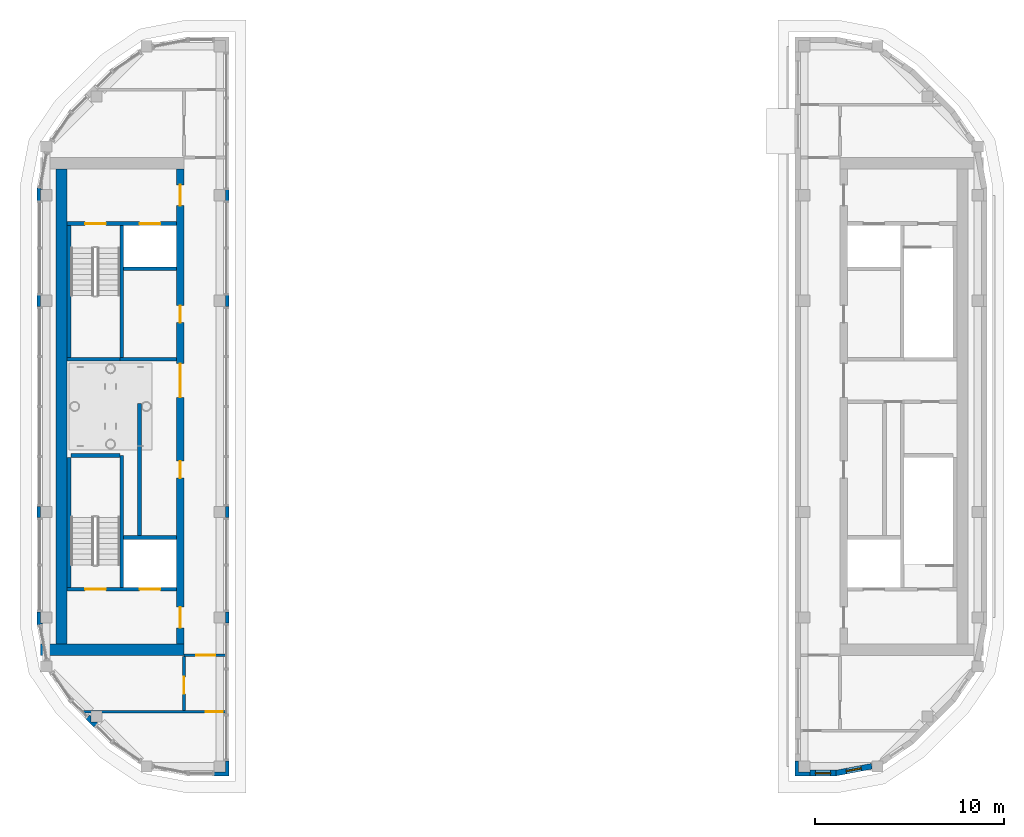
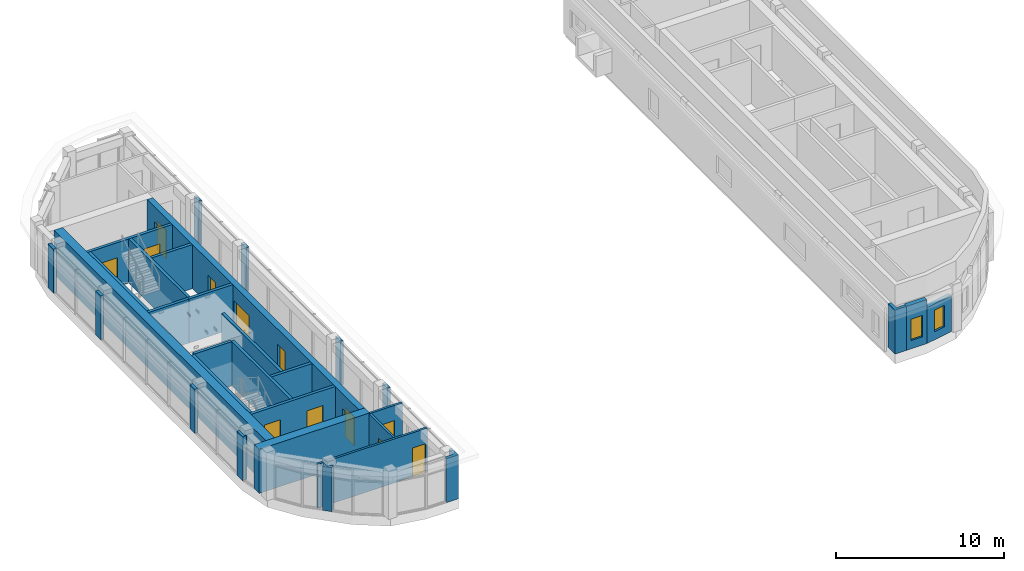
# One storey, part 9 of 16: 31 walls, 12 doors, 2 windows, 14 openings.
"""IFC4 building model written with IfcOpenShell, lengths in metres."""

from ifc_helpers import new_model, si_unit, direction, frame, frame_2d, origin, place, context, subcontext, project, spatial, polyline, rectangle, outline, extrude, material, layer, layer_set, type_object, element, fill, save


model = new_model("IFC4")

# Units and contexts
model_context = context("Model", 3, precision=1e-05, world=origin(), true_north=direction((0.0, 1.0)))
body_context = subcontext(model_context, "Body", "Model", "MODEL_VIEW")
ifc_project = project(units=[si_unit("LENGTHUNIT", "METRE"), si_unit("AREAUNIT", "SQUARE_METRE"), si_unit("VOLUMEUNIT", "CUBIC_METRE"), si_unit("PLANEANGLEUNIT", "RADIAN"), si_unit("MASSUNIT", "GRAM", prefix="KILO")], contexts=[model_context])

# Site, building, storey
site_placement = place(None, origin())
site = spatial("IfcSite", under=ifc_project, at=site_placement, CompositionType="ELEMENT")
building_placement = place(site_placement, origin())
building = spatial("IfcBuilding", under=site, at=building_placement, Name="Kiln Ring Residences", CompositionType="ELEMENT")
storey_placement = place(building_placement, frame((0.0, 0.0, 313.89990234375)))
storey = spatial("IfcBuildingStorey", under=building, at=storey_placement, Name="L81 Crown", CompositionType="ELEMENT", Elevation=313.89990234375)

# Walls
ifc_material_1 = material(Name="Gypsum board on steel studs", Category="steel")
ifc_layer_1 = layer(ifc_material_1, 0.199951171875)
ifc_layer_set_1 = layer_set([ifc_layer_1], Name="CORE-PARTITION-200")
wall_type_1 = type_object("IfcWallType", Name="CORE-PARTITION-200", PredefinedType="PARTITIONING", material=ifc_layer_set_1)
wall_1_placement = place(storey_placement, frame((-19.760009765625, -6.85009765625, 0.0), z_axis=(0.0, 0.0, 1.0), x_axis=(0.0, 1.0, 0.0)))
element("IfcWall", 1, at=wall_1_placement, inside=storey, type_object=wall_type_1, Name="Core partition west L81 Crown 1", PredefinedType="PARTITIONING", context=body_context, shape_type="SweptSolid", body=[
    extrude(rectangle(XDim=7.0, YDim=0.199951171875, at=frame_2d((3.5, 0.0))), origin(), (0.0, 0.0, 1.0), 3.2001953125),
])
ifc_material_2 = material(Name="Gypsum shaft wall system")
ifc_layer_2 = layer(ifc_material_2, 0.199951171875)
ifc_layer_set_2 = layer_set([ifc_layer_2], Name="CORE-SHAFT-WALL-200")
wall_type_2 = type_object("IfcWallType", Name="CORE-SHAFT-WALL-200", PredefinedType="PARTITIONING", material=ifc_layer_set_2)
wall_2_placement = place(storey_placement, frame((-17.800048828125, -6.949951171875, 0.0), z_axis=(0.0, 0.0, 1.0), x_axis=(-1.0, 0.0, 0.0)))
element("IfcWall", 2, at=wall_2_placement, inside=storey, type_object=wall_type_2, Name="Core partition west L81 Crown 2", PredefinedType="PARTITIONING", context=body_context, shape_type="SweptSolid", body=[
    extrude(rectangle(XDim=2.800048828125, YDim=0.199951171875, at=frame_2d((1.39990234375, 0.0))), origin(), (0.0, 0.0, 1.0), 3.2001953125),
])
wall_3_placement = place(storey_placement, frame((-17.800048828125, 2.5, 0.0), z_axis=(0.0, 0.0, 1.0), x_axis=(-1.0, 0.0, 0.0)))
element("IfcWall", 3, at=wall_3_placement, inside=storey, type_object=wall_type_2, Name="Core partition west L81 Crown 3", PredefinedType="PARTITIONING", context=body_context, shape_type="SweptSolid", body=[
    extrude(rectangle(XDim=3.0, YDim=0.199951171875, at=frame_2d((1.5, 0.0))), origin(), (0.0, 0.0, 1.0), 3.2001953125),
])
wall_4_placement = place(storey_placement, frame((-17.800048828125, 7.300048828125, 0.0), z_axis=(0.0, 0.0, 1.0), x_axis=(-1.0, 0.0, 0.0)))
element("IfcWall", 4, at=wall_4_placement, inside=storey, type_object=wall_type_2, Name="Core partition west L81 Crown 4", PredefinedType="PARTITIONING", context=body_context, shape_type="SweptSolid", body=[
    extrude(rectangle(XDim=2.800048828125, YDim=0.199951171875, at=frame_2d((1.39990234375, 0.0))), origin(), (0.0, 0.0, 1.0), 3.2001953125),
])
ifc_material_3 = material(Name="Concrete C40/50", Category="concrete")
ifc_layer_3 = layer(ifc_material_3, 0.199951171875)
ifc_layer_set_3 = layer_set([ifc_layer_3], Name="CORE-WALL-RC200")
wall_type_3 = type_object("IfcWallType", Name="CORE-WALL-RC200", PredefinedType="SHEAR", material=ifc_layer_set_3)
for number, where, z_axis, x_axis, name in (
    (5, (-20.699951171875, 2.60009765625, 0.0), (0.0, 0.0, 1.0), (0.0, 1.0, 0.0), "Core wall west L81 Crown 1"),
    (6, (-20.699951171875, -9.60009765625, 0.0), (0.0, 0.0, 1.0), (0.0, 1.0, 0.0), "Core wall west L81 Crown 2"),
):
    element("IfcWall", number, at=place(storey_placement, frame(where, z_axis=z_axis, x_axis=x_axis)), inside=storey, type_object=wall_type_3, Name=name, PredefinedType="SHEAR", context=body_context, shape_type="SweptSolid", body=[
        extrude(rectangle(XDim=7.0, YDim=0.199951171875, at=frame_2d((3.5, 0.0))), origin(), (0.0, 0.0, 1.0), 3.2001953125),
    ])
wall_5_placement = place(storey_placement, frame((-20.800048828125, 2.5, 0.0), z_axis=(0.0, 0.0, 1.0), x_axis=(-1.0, 0.0, 0.0)))
element("IfcWall", 7, at=wall_5_placement, inside=storey, type_object=wall_type_3, Name="Core wall west L81 Crown 3", PredefinedType="SHEAR", context=body_context, shape_type="SweptSolid", body=[
    extrude(rectangle(XDim=2.800048828125, YDim=0.199951171875, at=frame_2d((1.39990234375, 0.0))), origin(), (0.0, 0.0, 1.0), 3.2001953125),
])

# Wall, openings, doors
wall_6_placement = place(storey_placement, frame((-17.800048828125, -9.699951171875, 0.0), z_axis=(0.0, 0.0, 1.0), x_axis=(-1.0, 0.0, 0.0)))
wall_6 = element("IfcWall", 8, at=wall_6_placement, inside=storey, type_object=wall_type_3, Name="Core wall west L81 Crown 8", PredefinedType="SHEAR", context=body_context, shape_type="SweptSolid", body=[
    extrude(rectangle(XDim=5.800048828125, YDim=0.199951171875, at=frame_2d((2.89990234375, 0.0))), origin(), (0.0, 0.0, 1.0), 3.2001953125),
])
opening_1_placement = place(wall_6_placement, frame((0.85009765625, 0.0, 0.0)))
opening_1 = element("IfcOpeningElement", 9, at=opening_1_placement, cuts=wall_6, Name="Opening L81-CW01", PredefinedType="OPENING", context=body_context, shape_type="SweptSolid", body=[
    extrude(rectangle(XDim=1.10009765625, YDim=2.10009765625, at=frame_2d((0.550048828125, 1.050048828125))), frame((0.0, 0.10986328125, 0.0), z_axis=(0.0, -1.0, 0.0), x_axis=(1.0, 0.0, 0.0)), (0.0, 0.0, 1.0), 0.219970703125),
])
opening_2_placement = place(wall_6_placement, frame((3.75, 0.0, 0.0)))
opening_2 = element("IfcOpeningElement", 10, at=opening_2_placement, cuts=wall_6, Name="Opening L81-CW08", PredefinedType="OPENING", context=body_context, shape_type="SweptSolid", body=[
    extrude(rectangle(XDim=1.10009765625, YDim=2.10009765625, at=frame_2d((0.550048828125, 1.050048828125))), frame((0.0, 0.10986328125, 0.0), z_axis=(0.0, -1.0, 0.0), x_axis=(1.0, 0.0, 0.0)), (0.0, 0.0, 1.0), 0.219970703125),
])
ifc_material_4 = material(Name="Steel door leaf", Category="steel")
door_type_1 = type_object("IfcDoorType", Name="CORE-DOOR-LD", OperationType="DOUBLE_DOOR_SLIDING", PredefinedType="DOOR", material=ifc_material_4)
door_1_placement = place(opening_1_placement, origin())
door_1 = element("IfcDoor", 11, at=door_1_placement, inside=storey, type_object=door_type_1, Name="LD W-SV L81-CW01", OperationType="DOUBLE_DOOR_SLIDING", OverallHeight=2.10009765625, OverallWidth=1.10009765625, PredefinedType="DOOR", context=body_context, shape_type="SweptSolid", body=[
    extrude(rectangle(XDim=1.10009765625, YDim=2.10009765625, at=frame_2d((0.550048828125, 1.050048828125))), frame((0.0, 0.02490234375, 0.0), z_axis=(0.0, -1.0, 0.0), x_axis=(1.0, 0.0, 0.0)), (0.0, 0.0, 1.0), 0.050048828125),
])
fill(opening_1, door_1)
ifc_material_5 = material(Name="Steel door leaf", Category="steel")
door_type_2 = type_object("IfcDoorType", Name="CORE-DOOR-STAIR", OperationType="SINGLE_SWING_LEFT", PredefinedType="DOOR", material=ifc_material_5)
door_2_placement = place(opening_2_placement, origin())
door_2 = element("IfcDoor", 12, at=door_2_placement, inside=storey, type_object=door_type_2, Name="Stair W-STS L81-CW08", OperationType="SINGLE_SWING_LEFT", OverallHeight=2.10009765625, OverallWidth=1.10009765625, PredefinedType="DOOR", context=body_context, shape_type="SweptSolid", body=[
    extrude(rectangle(XDim=1.10009765625, YDim=2.10009765625, at=frame_2d((0.550048828125, 1.050048828125))), frame((0.0, 0.02490234375, 0.0), z_axis=(0.0, -1.0, 0.0), x_axis=(1.0, 0.0, 0.0)), (0.0, 0.0, 1.0), 0.050048828125),
])
fill(opening_2, door_2)

wall_7_placement = place(storey_placement, frame((-17.800048828125, 9.699951171875, 0.0), z_axis=(0.0, 0.0, 1.0), x_axis=(-1.0, 0.0, 0.0)))
wall_7 = element("IfcWall", 13, at=wall_7_placement, inside=storey, type_object=wall_type_3, Name="Core wall west L81 Crown 9", PredefinedType="SHEAR", context=body_context, shape_type="SweptSolid", body=[
    extrude(rectangle(XDim=5.800048828125, YDim=0.199951171875, at=frame_2d((2.89990234375, 0.0))), origin(), (0.0, 0.0, 1.0), 3.2001953125),
])
opening_3_placement = place(wall_7_placement, frame((0.85009765625, 0.0, 0.0)))
opening_3 = element("IfcOpeningElement", 14, at=opening_3_placement, cuts=wall_7, Name="Opening L81-CW04", PredefinedType="OPENING", context=body_context, shape_type="SweptSolid", body=[
    extrude(rectangle(XDim=1.10009765625, YDim=2.10009765625, at=frame_2d((0.550048828125, 1.050048828125))), frame((0.0, 0.10986328125, 0.0), z_axis=(0.0, -1.0, 0.0), x_axis=(1.0, 0.0, 0.0)), (0.0, 0.0, 1.0), 0.219970703125),
])
opening_4_placement = place(wall_7_placement, frame((3.75, 0.0, 0.0)))
opening_4 = element("IfcOpeningElement", 15, at=opening_4_placement, cuts=wall_7, Name="Opening L81-CW07", PredefinedType="OPENING", context=body_context, shape_type="SweptSolid", body=[
    extrude(rectangle(XDim=1.10009765625, YDim=2.10009765625, at=frame_2d((0.550048828125, 1.050048828125))), frame((0.0, 0.10986328125, 0.0), z_axis=(0.0, -1.0, 0.0), x_axis=(1.0, 0.0, 0.0)), (0.0, 0.0, 1.0), 0.219970703125),
])
door_3_placement = place(opening_3_placement, origin())
door_3 = element("IfcDoor", 16, at=door_3_placement, inside=storey, type_object=door_type_1, Name="LD W-FF L81-CW04", OperationType="DOUBLE_DOOR_SLIDING", OverallHeight=2.10009765625, OverallWidth=1.10009765625, PredefinedType="DOOR", context=body_context, shape_type="SweptSolid", body=[
    extrude(rectangle(XDim=1.10009765625, YDim=2.10009765625, at=frame_2d((0.550048828125, 1.050048828125))), frame((0.0, 0.02490234375, 0.0), z_axis=(0.0, -1.0, 0.0), x_axis=(1.0, 0.0, 0.0)), (0.0, 0.0, 1.0), 0.050048828125),
])
fill(opening_3, door_3)
door_4_placement = place(opening_4_placement, origin())
door_4 = element("IfcDoor", 17, at=door_4_placement, inside=storey, type_object=door_type_2, Name="Stair W-STN L81-CW07", OperationType="SINGLE_SWING_LEFT", OverallHeight=2.10009765625, OverallWidth=1.10009765625, PredefinedType="DOOR", context=body_context, shape_type="SweptSolid", body=[
    extrude(rectangle(XDim=1.10009765625, YDim=2.10009765625, at=frame_2d((0.550048828125, 1.050048828125))), frame((0.0, 0.02490234375, 0.0), z_axis=(0.0, -1.0, 0.0), x_axis=(1.0, 0.0, 0.0)), (0.0, 0.0, 1.0), 0.050048828125),
])
fill(opening_4, door_4)

# Walls
wall_8_placement = place(storey_placement, frame((-23.5, 2.60009765625, 0.0), z_axis=(0.0, 0.0, 1.0), x_axis=(0.0, 1.0, 0.0)))
element("IfcWall", 18, at=wall_8_placement, inside=storey, type_object=wall_type_3, Name="Core wall west L81 Crown 10", PredefinedType="SHEAR", context=body_context, shape_type="SweptSolid", body=[
    extrude(rectangle(XDim=7.0, YDim=0.199951171875, at=frame_2d((3.5, 0.0))), origin(), (0.0, 0.0, 1.0), 3.2001953125),
])
wall_9_placement = place(storey_placement, frame((-23.5, -9.60009765625, 0.0), z_axis=(0.0, 0.0, 1.0), x_axis=(0.0, 1.0, 0.0)))
element("IfcWall", 19, at=wall_9_placement, inside=storey, type_object=wall_type_3, Name="Core wall west L81 Crown 11", PredefinedType="SHEAR", context=body_context, shape_type="SweptSolid", body=[
    extrude(rectangle(XDim=6.900146484375, YDim=0.199951171875, at=frame_2d((3.4501953125, 0.0))), origin(), (0.0, 0.0, 1.0), 3.2001953125),
])
wall_10_placement = place(storey_placement, frame((-20.800048828125, -2.60009765625, 0.0), z_axis=(0.0, 0.0, 1.0), x_axis=(-1.0, 0.0, 0.0)))
element("IfcWall", 20, at=wall_10_placement, inside=storey, type_object=wall_type_3, Name="Core wall west L81 Crown 12", PredefinedType="SHEAR", context=body_context, shape_type="SweptSolid", body=[
    extrude(rectangle(XDim=2.599853515625, YDim=0.199951171875, at=frame_2d((1.2998046875, 0.0))), origin(), (0.0, 0.0, 1.0), 3.2001953125),
])

# Wall, openings, doors
ifc_material_6 = material(Name="Concrete C60/75", Category="concrete")
ifc_layer_4 = layer(ifc_material_6, 0.39990234375)
ifc_layer_set_4 = layer_set([ifc_layer_4], Name="CORE-WALL-RC400")
wall_type_4 = type_object("IfcWallType", Name="CORE-WALL-RC400", PredefinedType="SHEAR", material=ifc_layer_set_4)
wall_11_placement = place(storey_placement, frame((-17.60009765625, -12.60009765625, 0.0), z_axis=(0.0, 0.0, 1.0), x_axis=(0.0, 1.0, 0.0)))
wall_11 = element("IfcWall", 21, at=wall_11_placement, inside=storey, type_object=wall_type_4, Name="Core wall west L81 Crown 6", PredefinedType="SHEAR", context=body_context, shape_type="SweptSolid", body=[
    extrude(rectangle(XDim=25.2001953125, YDim=0.39990234375, at=frame_2d((12.60009765625, 0.0))), origin(), (0.0, 0.0, 1.0), 3.2001953125),
])
opening_5_placement = place(wall_11_placement, frame((8.800048828125, 0.0, 0.0)))
opening_5 = element("IfcOpeningElement", 22, at=opening_5_placement, cuts=wall_11, Name="Opening L81-CW02", PredefinedType="OPENING", context=body_context, shape_type="SweptSolid", body=[
    extrude(rectangle(XDim=0.89990234375, YDim=2.10009765625, at=frame_2d((0.449951171875, 1.050048828125))), frame((0.0, 0.2099609375, 0.0), z_axis=(0.0, -1.0, 0.0), x_axis=(1.0, 0.0, 0.0)), (0.0, 0.0, 1.0), 0.419921875),
])
opening_6_placement = place(wall_11_placement, frame((17.050048828125, 0.0, 0.0)))
opening_6 = element("IfcOpeningElement", 23, at=opening_6_placement, cuts=wall_11, Name="Opening L81-CW03", PredefinedType="OPENING", context=body_context, shape_type="SweptSolid", body=[
    extrude(rectangle(XDim=0.89990234375, YDim=2.10009765625, at=frame_2d((0.449951171875, 1.050048828125))), frame((0.0, 0.2099609375, 0.0), z_axis=(0.0, -1.0, 0.0), x_axis=(1.0, 0.0, 0.0)), (0.0, 0.0, 1.0), 0.419921875),
])
opening_7_placement = place(wall_11_placement, frame((23.25, 0.0, 0.0)))
opening_7 = element("IfcOpeningElement", 24, at=opening_7_placement, cuts=wall_11, Name="Opening L81-CW05", PredefinedType="OPENING", context=body_context, shape_type="SweptSolid", body=[
    extrude(rectangle(XDim=1.10009765625, YDim=2.10009765625, at=frame_2d((0.550048828125, 1.050048828125))), frame((0.0, 0.2099609375, 0.0), z_axis=(0.0, -1.0, 0.0), x_axis=(1.0, 0.0, 0.0)), (0.0, 0.0, 1.0), 0.419921875),
])
opening_8_placement = place(wall_11_placement, frame((0.85009765625, 0.0, 0.0)))
opening_8 = element("IfcOpeningElement", 25, at=opening_8_placement, cuts=wall_11, Name="Opening L81-CW06", PredefinedType="OPENING", context=body_context, shape_type="SweptSolid", body=[
    extrude(rectangle(XDim=1.10009765625, YDim=2.10009765625, at=frame_2d((0.550048828125, 1.050048828125))), frame((0.0, 0.2099609375, 0.0), z_axis=(0.0, -1.0, 0.0), x_axis=(1.0, 0.0, 0.0)), (0.0, 0.0, 1.0), 0.419921875),
])
opening_9_placement = place(wall_11_placement, frame((13.074951171875, 0.0, 0.0)))
opening_9 = element("IfcOpeningElement", 26, at=opening_9_placement, cuts=wall_11, Name="Opening L81-CW09", PredefinedType="OPENING", context=body_context, shape_type="SweptSolid", body=[
    extrude(rectangle(XDim=1.800048828125, YDim=2.10009765625, at=frame_2d((0.89990234375, 1.050048828125))), frame((0.0, 0.2099609375, 0.0), z_axis=(0.0, -1.0, 0.0), x_axis=(1.0, 0.0, 0.0)), (0.0, 0.0, 1.0), 0.419921875),
])
ifc_material_7 = material(Name="Steel door leaf", Category="steel")
door_type_3 = type_object("IfcDoorType", Name="CORE-DOOR-LOBBY", OperationType="SINGLE_SWING_LEFT", PredefinedType="DOOR", material=ifc_material_7)
door_5_placement = place(opening_7_placement, origin())
door_5 = element("IfcDoor", 27, at=door_5_placement, inside=storey, type_object=door_type_3, Name="FFL L81-CW05", OperationType="SINGLE_SWING_RIGHT", OverallHeight=2.10009765625, OverallWidth=1.10009765625, PredefinedType="DOOR", context=body_context, shape_type="SweptSolid", body=[
    extrude(rectangle(XDim=1.10009765625, YDim=2.10009765625, at=frame_2d((0.550048828125, 1.050048828125))), frame((0.0, 0.02490234375, 0.0), z_axis=(0.0, -1.0, 0.0), x_axis=(1.0, 0.0, 0.0)), (0.0, 0.0, 1.0), 0.050048828125),
])
fill(opening_7, door_5)
door_6_placement = place(opening_8_placement, origin())
door_6 = element("IfcDoor", 28, at=door_6_placement, inside=storey, type_object=door_type_3, Name="SVL L81-CW06", OperationType="SINGLE_SWING_LEFT", OverallHeight=2.10009765625, OverallWidth=1.10009765625, PredefinedType="DOOR", context=body_context, shape_type="SweptSolid", body=[
    extrude(rectangle(XDim=1.10009765625, YDim=2.10009765625, at=frame_2d((0.550048828125, 1.050048828125))), frame((0.0, 0.02490234375, 0.0), z_axis=(0.0, -1.0, 0.0), x_axis=(1.0, 0.0, 0.0)), (0.0, 0.0, 1.0), 0.050048828125),
])
fill(opening_8, door_6)
ifc_material_8 = material(Name="Steel door leaf", Category="steel")
door_type_4 = type_object("IfcDoorType", Name="CORE-DOOR-PASS", OperationType="DOUBLE_DOOR_SINGLE_SWING", PredefinedType="DOOR", material=ifc_material_8)
door_7_placement = place(opening_9_placement, origin())
door_7 = element("IfcDoor", 29, at=door_7_placement, inside=storey, type_object=door_type_4, Name="Tuned mass damper hall L81-CW09", OperationType="DOUBLE_DOOR_SINGLE_SWING", OverallHeight=2.10009765625, OverallWidth=1.800048828125, PredefinedType="DOOR", context=body_context, shape_type="SweptSolid", body=[
    extrude(rectangle(XDim=1.800048828125, YDim=2.10009765625, at=frame_2d((0.89990234375, 1.050048828125))), frame((0.0, 0.02490234375, 0.0), z_axis=(0.0, -1.0, 0.0), x_axis=(1.0, 0.0, 0.0)), (0.0, 0.0, 1.0), 0.050048828125),
])
fill(opening_9, door_7)
ifc_material_9 = material(Name="Steel door leaf", Category="steel")
door_type_5 = type_object("IfcDoorType", Name="CORE-DOOR-ROOM", OperationType="SINGLE_SWING_LEFT", PredefinedType="DOOR", material=ifc_material_9)
door_8_placement = place(opening_5_placement, origin())
door_8 = element("IfcDoor", 30, at=door_8_placement, inside=storey, type_object=door_type_5, Name="Janitor's store L81-CW02", OperationType="SINGLE_SWING_RIGHT", OverallHeight=2.10009765625, OverallWidth=0.89990234375, PredefinedType="DOOR", context=body_context, shape_type="SweptSolid", body=[
    extrude(rectangle(XDim=0.89990234375, YDim=2.10009765625, at=frame_2d((0.449951171875, 1.050048828125))), frame((0.0, 0.02490234375, 0.0), z_axis=(0.0, -1.0, 0.0), x_axis=(1.0, 0.0, 0.0)), (0.0, 0.0, 1.0), 0.050048828125),
])
fill(opening_5, door_8)
door_9_placement = place(opening_6_placement, origin())
door_9 = element("IfcDoor", 31, at=door_9_placement, inside=storey, type_object=door_type_5, Name="Goods store L81-CW03", OperationType="SINGLE_SWING_LEFT", OverallHeight=2.10009765625, OverallWidth=0.89990234375, PredefinedType="DOOR", context=body_context, shape_type="SweptSolid", body=[
    extrude(rectangle(XDim=0.89990234375, YDim=2.10009765625, at=frame_2d((0.449951171875, 1.050048828125))), frame((0.0, 0.02490234375, 0.0), z_axis=(0.0, -1.0, 0.0), x_axis=(1.0, 0.0, 0.0)), (0.0, 0.0, 1.0), 0.050048828125),
])
fill(opening_6, door_9)

# Walls
ifc_material_10 = material(Name="Concrete C60/75", Category="concrete")
ifc_layer_5 = layer(ifc_material_10, 0.60009765625)
ifc_layer_set_5 = layer_set([ifc_layer_5], Name="CORE-WALL-RC600")
wall_type_5 = type_object("IfcWallType", Name="CORE-WALL-RC600", PredefinedType="SHEAR", material=ifc_layer_set_5)
wall_12_placement = place(storey_placement, frame((-17.39990234375, -12.89990234375, 0.0), z_axis=(0.0, 0.0, 1.0), x_axis=(-1.0, 0.0, 0.0)))
element("IfcWall", 32, at=wall_12_placement, inside=storey, type_object=wall_type_5, Name="Core wall west L81 Crown 5", PredefinedType="SHEAR", context=body_context, shape_type="SweptSolid", body=[
    extrude(rectangle(XDim=7.60009765625, YDim=0.60009765625, at=frame_2d((3.800048828125, 0.0))), origin(), (0.0, 0.0, 1.0), 3.2001953125),
])
wall_13_placement = place(storey_placement, frame((-23.89990234375, -12.60009765625, 0.0), z_axis=(0.0, 0.0, 1.0), x_axis=(0.0, 1.0, 0.0)))
element("IfcWall", 33, at=wall_13_placement, inside=storey, type_object=wall_type_5, Name="Core wall west L81 Crown 7", PredefinedType="SHEAR", context=body_context, shape_type="SweptSolid", body=[
    extrude(rectangle(XDim=25.2001953125, YDim=0.60009765625, at=frame_2d((12.60009765625, 0.0))), origin(), (0.0, 0.0, 1.0), 3.2001953125),
])

# Wall, opening, window
ifc_material_11 = material(Name="Brick masonry, dark clay brick", Category="masonry")
ifc_layer_6 = layer(ifc_material_11, 0.300048828125)
ifc_layer_set_6 = layer_set([ifc_layer_6], Name="EW-300 BRICK WALL")
wall_type_6 = type_object("IfcWallType", Name="EW-300 BRICK WALL", PredefinedType="SOLIDWALL", material=ifc_layer_set_6)
wall_14_placement = place(storey_placement, frame((15.800048828125, -19.449951171875, 0.0), z_axis=(0.0, 0.0, 1.0), x_axis=(1.0, 0.0, 0.0)))
wall_14 = element("IfcWall", 34, at=wall_14_placement, inside=storey, type_object=wall_type_6, Name="Facade wall L81 Crown 6", PredefinedType="SOLIDWALL", context=body_context, shape_type="SweptSolid", body=[
    extrude(rectangle(XDim=1.39990234375, YDim=0.300048828125, at=frame_2d((0.699951171875, 0.0))), origin(), (0.0, 0.0, 1.0), 3.2001953125),
])
opening_10_placement = place(wall_14_placement, frame((0.300048828125, 0.0, 0.60009765625)))
opening_10 = element("IfcOpeningElement", 35, at=opening_10_placement, cuts=wall_14, Name="Opening W5", PredefinedType="OPENING", context=body_context, shape_type="SweptSolid", body=[
    extrude(rectangle(XDim=0.800048828125, YDim=1.550048828125, at=frame_2d((0.39990234375, 0.77490234375))), frame((0.0, 0.159912109375, 0.0), z_axis=(0.0, -1.0, 0.0), x_axis=(1.0, 0.0, 0.0)), (0.0, 0.0, 1.0), 0.320068359375),
])
ifc_material_12 = material(Name="Aluminium frame with double glazing", Category="aluminium")
window_type = type_object("IfcWindowType", Name="WINDOW 800 x 1550", PartitioningType="SINGLE_PANEL", PredefinedType="WINDOW", material=ifc_material_12)
window_1_placement = place(opening_10_placement, origin())
window_1 = element("IfcWindow", 36, at=window_1_placement, inside=storey, type_object=window_type, Name="Window L81 Crown 5", OverallHeight=1.550048828125, OverallWidth=0.800048828125, PartitioningType="SINGLE_PANEL", PredefinedType="WINDOW", context=body_context, shape_type="SweptSolid", body=[
    extrude(rectangle(XDim=0.800048828125, YDim=1.550048828125, at=frame_2d((0.39990234375, 0.77490234375))), frame((0.0, 0.030029296875, 0.0), z_axis=(0.0, -1.0, 0.0), x_axis=(1.0, 0.0, 0.0)), (0.0, 0.0, 1.0), 0.06005859375),
])
fill(opening_10, window_1)

wall_15_placement = place(storey_placement, frame((17.171875, -19.45263671875, 0.0), z_axis=(0.0, 0.0, 1.0), x_axis=(0.982286967073, 0.187382801553, 0.0)))
wall_15 = element("IfcWall", 37, at=wall_15_placement, inside=storey, type_object=wall_type_6, Name="Facade wall L81 Crown 7", PredefinedType="SOLIDWALL", context=body_context, shape_type="SweptSolid", body=[
    extrude(rectangle(XDim=1.94775390625, YDim=0.300048828125, at=frame_2d((0.973876953125, 0.0))), origin(), (0.0, 0.0, 1.0), 2.60009765625),
])
opening_11_placement = place(wall_15_placement, frame((0.573974609375, 0.0, 0.60009765625)))
opening_11 = element("IfcOpeningElement", 38, at=opening_11_placement, cuts=wall_15, Name="Opening W5", PredefinedType="OPENING", context=body_context, shape_type="SweptSolid", body=[
    extrude(rectangle(XDim=0.800048828125, YDim=1.550048828125, at=frame_2d((0.39990234375, 0.77490234375))), frame((0.0, 0.159912109375, 0.0), z_axis=(0.0, -1.0, 0.0), x_axis=(1.0, 0.0, 0.0)), (0.0, 0.0, 1.0), 0.320068359375),
])
window_2_placement = place(opening_11_placement, origin())
window_2 = element("IfcWindow", 39, at=window_2_placement, inside=storey, type_object=window_type, Name="Window L81 Crown 6", OverallHeight=1.550048828125, OverallWidth=0.800048828125, PartitioningType="SINGLE_PANEL", PredefinedType="WINDOW", context=body_context, shape_type="SweptSolid", body=[
    extrude(rectangle(XDim=0.800048828125, YDim=1.550048828125, at=frame_2d((0.39990234375, 0.77490234375))), frame((0.0, 0.030029296875, 0.0), z_axis=(0.0, -1.0, 0.0), x_axis=(1.0, 0.0, 0.0)), (0.0, 0.0, 1.0), 0.06005859375),
])
fill(opening_11, window_2)

# Walls
placement = place(storey_placement, origin())
element("IfcWall", 40, at=placement, inside=storey, type_object=wall_type_6, Name="Corner wall L81 Crown 1", PredefinedType="SOLIDWALL", context=body_context, shape_type="SweptSolid", body=[
    extrude(outline(polyline([(-25.199951171875, -10.89990234375), (-25.199951171875, -11.600830078125), (-24.9033203125, -11.544189453125), (-24.89990234375, -11.56103515625), (-24.89990234375, -11.5), (-25.0, -11.5), (-25.0, -10.89990234375), (-25.199951171875, -10.89990234375)])), origin(), (0.0, 0.0, 1.0), 3.2001953125),
])
element("IfcWall", 41, at=placement, inside=storey, type_object=wall_type_6, Name="Corner wall L81 Crown 2", PredefinedType="SOLIDWALL", context=body_context, shape_type="SweptSolid", body=[
    extrude(outline(polyline([(-25.0, -5.300048828125), (-25.199951171875, -5.300048828125), (-25.199951171875, -5.89990234375), (-24.89990234375, -5.89990234375), (-25.0, -5.89990234375), (-25.0, -5.300048828125)])), origin(), (0.0, 0.0, 1.0), 3.2001953125),
])
element("IfcWall", 42, at=placement, inside=storey, type_object=wall_type_6, Name="Corner wall L81 Crown 3", PredefinedType="SOLIDWALL", context=body_context, shape_type="SweptSolid", body=[
    extrude(outline(polyline([(-25.0, 5.89990234375), (-25.199951171875, 5.89990234375), (-25.199951171875, 5.300048828125), (-25.0, 5.300048828125), (-25.0, 5.89990234375)])), origin(), (0.0, 0.0, 1.0), 3.2001953125),
])
element("IfcWall", 43, at=placement, inside=storey, type_object=wall_type_6, Name="Corner wall L81 Crown 4", PredefinedType="SOLIDWALL", context=body_context, shape_type="SweptSolid", body=[
    extrude(outline(polyline([(-25.199951171875, 11.600830078125), (-25.199951171875, 10.89990234375), (-25.0, 10.89990234375), (-25.0, 11.5), (-24.89990234375, 11.5), (-24.89990234375, 11.56103515625), (-24.9033203125, 11.544189453125), (-25.199951171875, 11.600830078125)])), origin(), (0.0, 0.0, 1.0), 3.2001953125),
])
element("IfcWall", 44, at=placement, inside=storey, type_object=wall_type_6, Name="Corner wall L81 Crown 7", PredefinedType="SOLIDWALL", context=body_context, shape_type="SweptSolid", body=[
    extrude(outline(polyline([(-15.199951171875, 10.89990234375), (-15.0, 10.89990234375), (-15.0, 11.5), (-15.199951171875, 11.5), (-15.199951171875, 10.89990234375)])), origin(), (0.0, 0.0, 1.0), 3.2001953125),
])
element("IfcWall", 45, at=placement, inside=storey, type_object=wall_type_6, Name="Corner wall L81 Crown 8", PredefinedType="SOLIDWALL", context=body_context, shape_type="SweptSolid", body=[
    extrude(outline(polyline([(-15.199951171875, 5.300048828125), (-15.0, 5.300048828125), (-15.0, 5.89990234375), (-15.300048828125, 5.89990234375), (-15.199951171875, 5.89990234375), (-15.199951171875, 5.300048828125)])), origin(), (0.0, 0.0, 1.0), 3.2001953125),
])
element("IfcWall", 46, at=placement, inside=storey, type_object=wall_type_6, Name="Corner wall L81 Crown 9", PredefinedType="SOLIDWALL", context=body_context, shape_type="SweptSolid", body=[
    extrude(outline(polyline([(-15.300048828125, -5.89990234375), (-15.0, -5.89990234375), (-15.0, -5.300048828125), (-15.300048828125, -5.300048828125), (-15.199951171875, -5.300048828125), (-15.199951171875, -5.89990234375), (-15.300048828125, -5.89990234375)])), origin(), (0.0, 0.0, 1.0), 3.2001953125),
])
element("IfcWall", 47, at=placement, inside=storey, type_object=wall_type_6, Name="Corner wall L81 Crown 10", PredefinedType="SOLIDWALL", context=body_context, shape_type="SweptSolid", body=[
    extrude(outline(polyline([(-15.199951171875, -11.5), (-15.0, -11.5), (-15.0, -10.89990234375), (-15.199951171875, -10.89990234375), (-15.199951171875, -11.5)])), origin(), (0.0, 0.0, 1.0), 3.2001953125),
])
element("IfcWall", 48, at=placement, inside=storey, type_object=wall_type_6, Name="Corner wall L81 Crown 11", PredefinedType="SOLIDWALL", context=body_context, shape_type="SweptSolid", body=[
    extrude(outline(polyline([(-15.800048828125, -19.60009765625), (-15.0, -19.60009765625), (-15.0, -18.800048828125), (-15.199951171875, -18.800048828125), (-15.199951171875, -19.39990234375), (-15.800048828125, -19.39990234375), (-15.800048828125, -19.60009765625)])), origin(), (0.0, 0.0, 1.0), 3.2001953125),
])
element("IfcWall", 49, at=placement, inside=storey, type_object=wall_type_6, Name="Corner wall L81 Crown 12", PredefinedType="SOLIDWALL", context=body_context, shape_type="SweptSolid", body=[
    extrude(outline(polyline([(-22.39990234375, -16.375732421875), (-22.612060546875, -16.587890625), (-22.18798828125, -17.01220703125), (-21.9755859375, -16.800048828125), (-22.029296875, -16.746337890625), (-22.346435546875, -16.746337890625), (-22.346435546875, -16.42919921875), (-22.39990234375, -16.375732421875)])), origin(), (0.0, 0.0, 1.0), 3.2001953125),
])
element("IfcWall", 50, at=placement, inside=storey, type_object=wall_type_6, Name="Corner wall L81 Crown 19", PredefinedType="SOLIDWALL", context=body_context, shape_type="SweptSolid", body=[
    extrude(outline(polyline([(15.0, -18.800048828125), (15.0, -19.60009765625), (15.800048828125, -19.60009765625), (15.800048828125, -19.39990234375), (15.199951171875, -19.39990234375), (15.199951171875, -18.800048828125), (15.0, -18.800048828125)])), origin(), (0.0, 0.0, 1.0), 3.2001953125),
])

# Wall, opening, door
ifc_material_13 = material(Name="Brick masonry partition", Category="masonry")
ifc_layer_7 = layer(ifc_material_13, 0.14990234375)
ifc_layer_set_7 = layer_set([ifc_layer_7], Name="PARTITION-150-ei60")
wall_type_7 = type_object("IfcWallType", Name="PARTITION-150-ei60", PredefinedType="PARTITIONING", material=ifc_layer_set_7)
wall_27_placement = place(storey_placement, frame((-22.742431640625, -16.199951171875, 0.0), z_axis=(0.0, 0.0, 1.0), x_axis=(1.0, 0.0, 0.0)))
wall_27 = element("IfcWall", 51, at=wall_27_placement, inside=storey, type_object=wall_type_7, Name="Partition 001", PredefinedType="PARTITIONING", context=body_context, shape_type="SweptSolid", body=[
    extrude(rectangle(XDim=7.554443359375, YDim=0.14990234375, at=frame_2d((3.77734375, 0.0))), origin(), (0.0, 0.0, 1.0), 3.2001953125),
])
opening_12_placement = place(wall_27_placement, frame((6.492431640625, 0.0, 0.0)))
opening_12 = element("IfcOpeningElement", 52, at=opening_12_placement, cuts=wall_27, Name="Opening L81-D006", PredefinedType="OPENING", context=body_context, shape_type="SweptSolid", body=[
    extrude(rectangle(XDim=0.89990234375, YDim=2.10009765625, at=frame_2d((0.449951171875, 1.050048828125))), frame((0.0, 0.0849609375, 0.0), z_axis=(0.0, -1.0, 0.0), x_axis=(1.0, 0.0, 0.0)), (0.0, 0.0, 1.0), 0.169921875),
])
ifc_material_14 = material(Name="Steel faced fire door leaf", Category="steel")
door_type_6 = type_object("IfcDoorType", Name="FLAT-DOOR-900-FR", OperationType="SINGLE_SWING_LEFT", PredefinedType="DOOR", material=ifc_material_14)
door_10_placement = place(opening_12_placement, origin())
door_10 = element("IfcDoor", 53, at=door_10_placement, inside=storey, type_object=door_type_6, Name="Door L81-D006", OperationType="SINGLE_SWING_RIGHT", OverallHeight=2.10009765625, OverallWidth=0.89990234375, PredefinedType="DOOR", context=body_context, shape_type="SweptSolid", body=[
    extrude(rectangle(XDim=0.89990234375, YDim=2.10009765625, at=frame_2d((0.449951171875, 1.050048828125))), frame((0.0, 0.02490234375, 0.0), z_axis=(0.0, -1.0, 0.0), x_axis=(1.0, 0.0, 0.0)), (0.0, 0.0, 1.0), 0.050048828125),
])
fill(opening_12, door_10)

wall_28_placement = place(storey_placement, frame((-17.405029296875, -13.199951171875, 0.0), z_axis=(0.0, 0.0, 1.0), x_axis=(1.0, 0.0, 0.0)))
wall_28 = element("IfcWall", 54, at=wall_28_placement, inside=storey, type_object=wall_type_7, Name="Partition 002", PredefinedType="PARTITIONING", context=body_context, shape_type="SweptSolid", body=[
    extrude(rectangle(XDim=2.217041015625, YDim=0.14990234375, at=frame_2d((1.1083984375, 0.0))), origin(), (0.0, 0.0, 1.0), 3.2001953125),
])
opening_13_placement = place(wall_28_placement, frame((0.655029296875, 0.0, 0.0)))
opening_13 = element("IfcOpeningElement", 55, at=opening_13_placement, cuts=wall_28, Name="Opening L81-D004", PredefinedType="OPENING", context=body_context, shape_type="SweptSolid", body=[
    extrude(rectangle(XDim=1.0, YDim=2.10009765625, at=frame_2d((0.5, 1.050048828125))), frame((0.0, 0.0849609375, 0.0), z_axis=(0.0, -1.0, 0.0), x_axis=(1.0, 0.0, 0.0)), (0.0, 0.0, 1.0), 0.169921875),
])
ifc_material_15 = material(Name="Steel faced fire door leaf", Category="steel")
door_type_7 = type_object("IfcDoorType", Name="FLAT-DOOR-1000-FR", OperationType="SINGLE_SWING_LEFT", PredefinedType="DOOR", material=ifc_material_15)
door_11_placement = place(opening_13_placement, origin())
door_11 = element("IfcDoor", 56, at=door_11_placement, inside=storey, type_object=door_type_7, Name="Door L81-D004", OperationType="SINGLE_SWING_LEFT", OverallHeight=2.10009765625, OverallWidth=1.0, PredefinedType="DOOR", context=body_context, shape_type="SweptSolid", body=[
    extrude(rectangle(XDim=1.0, YDim=2.10009765625, at=frame_2d((0.5, 1.050048828125))), frame((0.0, 0.02490234375, 0.0), z_axis=(0.0, -1.0, 0.0), x_axis=(1.0, 0.0, 0.0)), (0.0, 0.0, 1.0), 0.050048828125),
])
fill(opening_13, door_11)

wall_29_placement = place(storey_placement, frame((-17.39990234375, -16.125, 0.0), z_axis=(0.0, 0.0, 1.0), x_axis=(0.0, 1.0, 0.0)))
wall_29 = element("IfcWall", 57, at=wall_29_placement, inside=storey, type_object=wall_type_7, Name="Partition 008", PredefinedType="PARTITIONING", context=body_context, shape_type="SweptSolid", body=[
    extrude(rectangle(XDim=2.85009765625, YDim=0.14990234375, at=frame_2d((1.425048828125, 0.0))), origin(), (0.0, 0.0, 1.0), 3.2001953125),
])
opening_14_placement = place(wall_29_placement, frame((0.875, 0.0, 0.0)))
opening_14 = element("IfcOpeningElement", 58, at=opening_14_placement, cuts=wall_29, Name="Opening L81-D005", PredefinedType="OPENING", context=body_context, shape_type="SweptSolid", body=[
    extrude(rectangle(XDim=0.89990234375, YDim=2.10009765625, at=frame_2d((0.449951171875, 1.050048828125))), frame((0.0, 0.0849609375, 0.0), z_axis=(0.0, -1.0, 0.0), x_axis=(1.0, 0.0, 0.0)), (0.0, 0.0, 1.0), 0.169921875),
])
door_12_placement = place(opening_14_placement, origin())
door_12 = element("IfcDoor", 59, at=door_12_placement, inside=storey, type_object=door_type_6, Name="Door L81-D005", OperationType="SINGLE_SWING_LEFT", OverallHeight=2.10009765625, OverallWidth=0.89990234375, PredefinedType="DOOR", context=body_context, shape_type="SweptSolid", body=[
    extrude(rectangle(XDim=0.89990234375, YDim=2.10009765625, at=frame_2d((0.449951171875, 1.050048828125))), frame((0.0, 0.02490234375, 0.0), z_axis=(0.0, -1.0, 0.0), x_axis=(1.0, 0.0, 0.0)), (0.0, 0.0, 1.0), 0.050048828125),
])
fill(opening_14, door_12)

save(model, "model.ifc")
